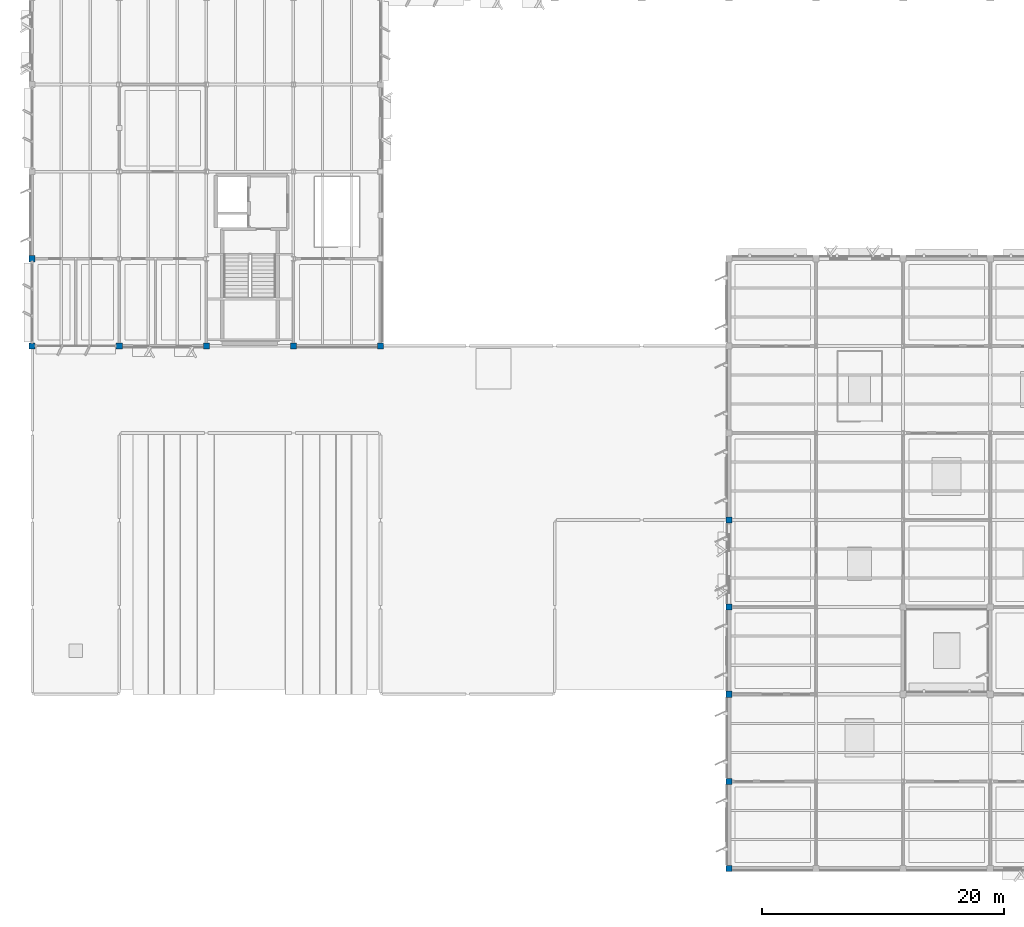
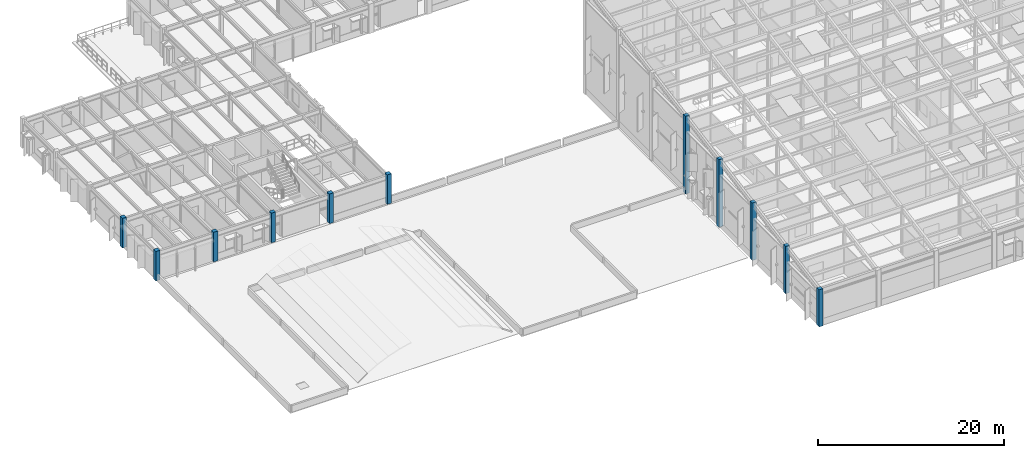
# One storey, part 1 of 82: 11 columns.
"""IFC4 building model written with IfcOpenShell, lengths in metres."""

from ifc_helpers import new_model, si_unit, direction, frame, origin, origin_2d, place, context, subcontext, project, spatial, rectangle, extrude, material, material_profile, profile_set, type_object, element, save


model = new_model("IFC4")

# Units and contexts
model_context = context("Model", 3, precision=1e-05, world=origin(), true_north=direction((0.0, 1.0)))
body_context = subcontext(model_context, "Body", "Model", "MODEL_VIEW")
ifc_project = project(units=[si_unit("LENGTHUNIT", "METRE"), si_unit("AREAUNIT", "SQUARE_METRE"), si_unit("VOLUMEUNIT", "CUBIC_METRE"), si_unit("PLANEANGLEUNIT", "RADIAN"), si_unit("MASSUNIT", "GRAM", prefix="KILO")], contexts=[model_context])

# Site, building, storey
site_placement = place(None, origin())
site = spatial("IfcSite", under=ifc_project, at=site_placement, CompositionType="ELEMENT")
building_placement = place(site_placement, origin())
building = spatial("IfcBuilding", under=site, at=building_placement, Name="Sillqori Civic Hall", CompositionType="ELEMENT")
storey_placement = place(building_placement, frame((0.0, 0.0, 14.10009765625)))
storey = spatial("IfcBuildingStorey", under=building, at=storey_placement, Name="L04", CompositionType="ELEMENT", Elevation=14.10009765625)

# Columns
ifc_material = material(Name="Concrete C35/45 (H35)", Category="concrete")
ifc_material_profile = material_profile(ifc_material, rectangle(XDim=0.5, YDim=0.5, at=origin_2d()), Name="RC 500x500")
ifc_profile_set = profile_set([ifc_material_profile], Name="Concrete C35/45 (H35)")
column_type = type_object("IfcColumnType", Name="COL-RC500", PredefinedType="COLUMN", material=ifc_profile_set)
for number, where, z_axis, x_axis, name in (
    (1, (7.199951171875, 50.39990234375, 0.0), (0.0, 0.0, 1.0), (1.0, 0.0, 0.0), "L04 column 1-7"),
    (2, (7.199951171875, 57.60009765625, 0.0), (0.0, 0.0, 1.0), (1.0, 0.0, 0.0), "L04 column 1-8"),
    (3, (14.39990234375, 50.39990234375, 0.0), (0.0, 0.0, 1.0), (1.0, 0.0, 0.0), "L04 column 2-7"),
    (4, (21.60009765625, 50.39990234375, 0.0), (0.0, 0.0, 1.0), (1.0, 0.0, 0.0), "L04 column 3-7"),
    (5, (28.800048828125, 50.39990234375, 0.0), (0.0, 0.0, 1.0), (1.0, 0.0, 0.0), "L04 column 4-7"),
    (6, (36.0, 50.39990234375, 0.0), (0.0, 0.0, 1.0), (1.0, 0.0, 0.0), "L04 column 5-7"),
):
    element("IfcColumn", number, at=place(storey_placement, frame(where, z_axis=z_axis, x_axis=x_axis)), inside=storey, type_object=column_type, Name=name, PredefinedType="COLUMN", context=body_context, shape_type="SweptSolid", body=[
        extrude(rectangle(XDim=0.5, YDim=0.5, at=origin_2d()), origin(), (0.0, 0.0, 1.0), 3.89990234375),
    ])
column_1_placement = place(storey_placement, frame((64.800048828125, 7.199951171875, 0.0), z_axis=(0.0, 0.0, 1.0), x_axis=(1.0, 0.0, 0.0)))
element("IfcColumn", 7, at=column_1_placement, inside=storey, type_object=column_type, Name="L04 column 9-1", PredefinedType="COLUMN", context=body_context, shape_type="SweptSolid", body=[
    extrude(rectangle(XDim=0.5, YDim=0.5, at=origin_2d()), origin(), (0.0, 0.0, 1.0), 4.876220703125),
])
column_2_placement = place(storey_placement, frame((64.800048828125, 14.39990234375, 0.0), z_axis=(0.0, 0.0, 1.0), x_axis=(1.0, 0.0, 0.0)))
element("IfcColumn", 8, at=column_2_placement, inside=storey, type_object=column_type, Name="L04 column 9-2", PredefinedType="COLUMN", context=body_context, shape_type="SweptSolid", body=[
    extrude(rectangle(XDim=0.5, YDim=0.5, at=origin_2d()), origin(), (0.0, 0.0, 1.0), 6.218994140625),
])
column_3_placement = place(storey_placement, frame((64.800048828125, 21.60009765625, 0.0), z_axis=(0.0, 0.0, 1.0), x_axis=(1.0, 0.0, 0.0)))
element("IfcColumn", 9, at=column_3_placement, inside=storey, type_object=column_type, Name="L04 column 9-3", PredefinedType="COLUMN", context=body_context, shape_type="SweptSolid", body=[
    extrude(rectangle(XDim=0.5, YDim=0.5, at=origin_2d()), origin(), (0.0, 0.0, 1.0), 7.561767578125),
])
column_4_placement = place(storey_placement, frame((64.800048828125, 28.800048828125, 0.0), z_axis=(0.0, 0.0, 1.0), x_axis=(1.0, 0.0, 0.0)))
element("IfcColumn", 10, at=column_4_placement, inside=storey, type_object=column_type, Name="L04 column 9-4", PredefinedType="COLUMN", context=body_context, shape_type="SweptSolid", body=[
    extrude(rectangle(XDim=0.5, YDim=0.5, at=origin_2d()), origin(), (0.0, 0.0, 1.0), 8.90478515625),
])
column_5_placement = place(storey_placement, frame((64.800048828125, 36.0, 0.0), z_axis=(0.0, 0.0, 1.0), x_axis=(1.0, 0.0, 0.0)))
element("IfcColumn", 11, at=column_5_placement, inside=storey, type_object=column_type, Name="L04 column 9-5", PredefinedType="COLUMN", context=body_context, shape_type="SweptSolid", body=[
    extrude(rectangle(XDim=0.5, YDim=0.5, at=origin_2d()), origin(), (0.0, 0.0, 1.0), 10.24755859375),
])

save(model, "model.ifc")
